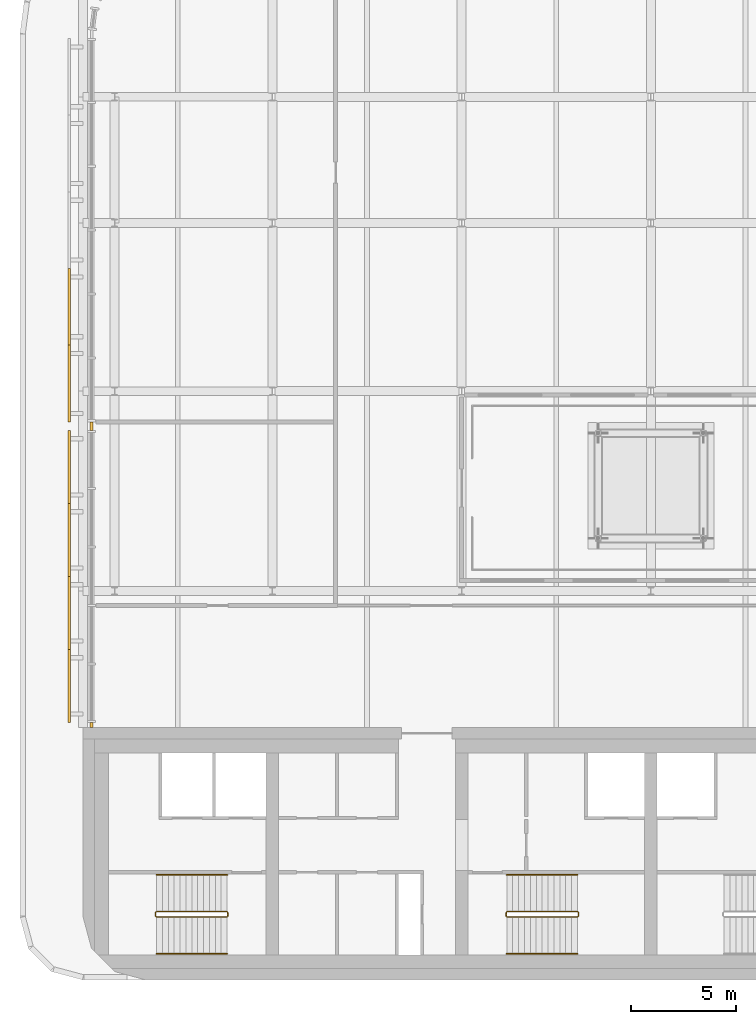
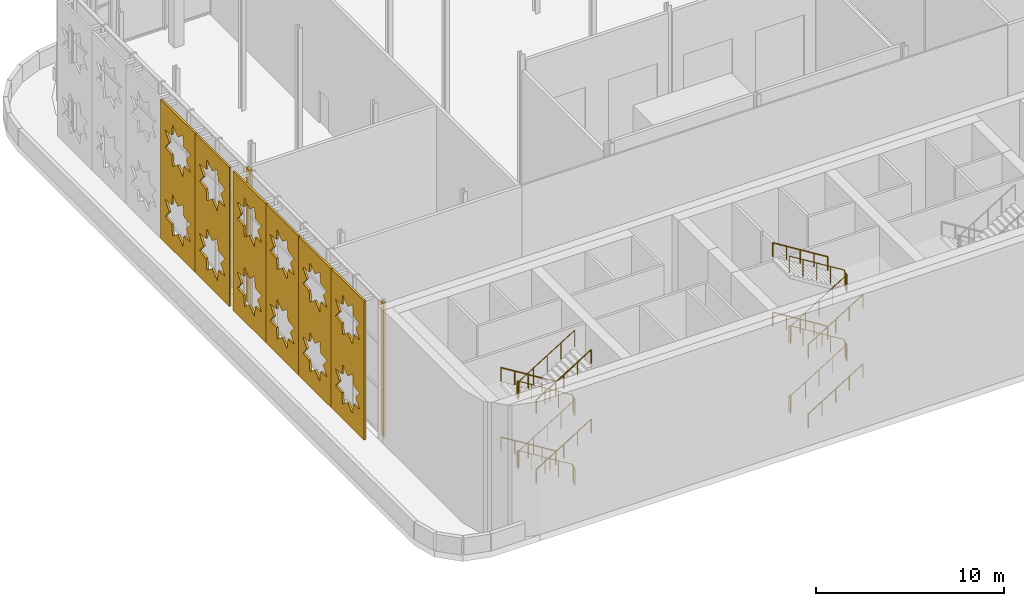
# One storey, part 22 of 26: 10 railings, 8 coverings.
"""IFC4 building model written with IfcOpenShell, lengths in metres."""

from ifc_helpers import new_model, si_unit, direction, frame, origin, origin_2d, place, context, subcontext, project, spatial, polyline, rectangle, circle, outline, extrude, material, layer, layer_set, type_object, element, save


model = new_model("IFC4")

# Units and contexts
model_context = context("Model", 3, precision=1e-05, world=origin(), true_north=direction((0.0, 1.0)))
body_context = subcontext(model_context, "Body", "Model", "MODEL_VIEW")
ifc_project = project(units=[si_unit("LENGTHUNIT", "METRE"), si_unit("AREAUNIT", "SQUARE_METRE"), si_unit("VOLUMEUNIT", "CUBIC_METRE"), si_unit("PLANEANGLEUNIT", "RADIAN"), si_unit("MASSUNIT", "GRAM", prefix="KILO")], contexts=[model_context])

# Site, building, storey
site_placement = place(None, origin())
site = spatial("IfcSite", under=ifc_project, at=site_placement, CompositionType="ELEMENT")
building_placement = place(site_placement, origin())
building = spatial("IfcBuilding", under=site, at=building_placement, Name="Zellij Exchange Tower", CompositionType="ELEMENT")
storey_placement = place(building_placement, frame((0.0, 0.0, 296.5)))
storey = spatial("IfcBuildingStorey", under=building, at=storey_placement, Name="L70", CompositionType="ELEMENT", Elevation=296.5)

# Railings
ifc_material_1 = material(Name="Stainless steel", Category="steel")
railing_type_1 = type_object("IfcRailingType", Name="CORE-RG stair guard", PredefinedType="GUARDRAIL", material=ifc_material_1)
railing_1_placement = place(storey_placement, frame((-20.10009765625, -10.800048828125, 0.0)))
element("IfcRailing", 1, at=railing_1_placement, inside=storey, type_object=railing_type_1, Name="ST1 stair guard L70", PredefinedType="GUARDRAIL", context=body_context, shape_type="SweptSolid", body=[
    extrude(circle(Radius=0.02392578125, at=origin_2d()), frame((0.0, 0.0, 1.076171875), z_axis=(0.0, -1.0, 0.0), x_axis=(1.0, 0.0, 0.0)), (0.0, 0.0, 1.0), 0.14990234375),
    extrude(circle(Radius=0.02392578125, at=origin_2d()), frame((0.0, -0.14990234375, 1.076171875), z_axis=(-0.185068141132, 0.742994154839, 0.643202510111), x_axis=(-0.970351222016, -0.241699205484, 0.0)), (0.0, 0.0, 1.0), 0.26904296875),
    extrude(circle(Radius=0.02392578125, at=origin_2d()), frame((-0.0498046875, 0.050048828125, 1.2490234375), z_axis=(-0.850623216509, 0.0, 0.525775754039), x_axis=(0.0, -1.0, 0.0)), (0.0, 0.0, 1.0), 3.9501953125),
    extrude(circle(Radius=0.02392578125, at=origin_2d()), frame((-3.409912109375, 0.050048828125, 3.326171875), z_axis=(-0.707106781187, -0.707106781187, 0.0), x_axis=(0.707106781187, -0.707106781187, 0.0)), (0.0, 0.0, 1.0), 0.07080078125),
    extrude(circle(Radius=0.02392578125, at=origin_2d()), frame((-3.4599609375, 0.0, 3.326171875), z_axis=(0.0, -1.0, 0.0), x_axis=(1.0, 0.0, 0.0)), (0.0, 0.0, 1.0), 0.14990234375),
    extrude(circle(Radius=0.02392578125, at=origin_2d()), frame((-3.4599609375, -0.14990234375, 3.326171875), z_axis=(0.267629722418, -0.267629722418, 0.925607186314), x_axis=(0.707106781187, 0.707106781187, 0.0)), (0.0, 0.0, 1.0), 0.18701171875),
    extrude(circle(Radius=0.02392578125, at=origin_2d()), frame((-3.409912109375, -0.199951171875, 3.4990234375), z_axis=(0.850623216509, 0.0, 0.525775754039), x_axis=(0.0, 1.0, 0.0)), (0.0, 0.0, 1.0), 3.9501953125),
    extrude(circle(Radius=0.02392578125, at=origin_2d()), frame((-0.0498046875, -0.199951171875, 5.576171875), z_axis=(0.241699205484, 0.970351222016, 0.0), x_axis=(-0.970351222016, 0.241699205484, 0.0)), (0.0, 0.0, 1.0), 0.2060546875),
    extrude(circle(Radius=0.02392578125, at=origin_2d()), frame((0.0, 0.0, 5.576171875), z_axis=(0.0, -1.0, 0.0), x_axis=(1.0, 0.0, 0.0)), (0.0, 0.0, 1.0), 0.14990234375),
    extrude(circle(Radius=0.02392578125, at=origin_2d()), frame((0.0, -0.14990234375, 5.576171875), z_axis=(-0.185068141132, 0.742994154839, 0.643202510111), x_axis=(-0.970351222016, -0.241699205484, 0.0)), (0.0, 0.0, 1.0), 0.26904296875),
    extrude(circle(Radius=0.02392578125, at=origin_2d()), frame((-0.0498046875, 0.050048828125, 5.7490234375), z_axis=(-0.850623216509, 0.0, 0.525775754039), x_axis=(0.0, -1.0, 0.0)), (0.0, 0.0, 1.0), 3.9501953125),
    extrude(circle(Radius=0.02392578125, at=origin_2d()), frame((-3.409912109375, 0.050048828125, 7.826171875), z_axis=(-0.707106781187, -0.707106781187, 0.0), x_axis=(0.707106781187, -0.707106781187, 0.0)), (0.0, 0.0, 1.0), 0.07080078125),
    extrude(circle(Radius=0.02392578125, at=origin_2d()), frame((-3.4599609375, 0.0, 7.826171875), z_axis=(0.0, -1.0, 0.0), x_axis=(1.0, 0.0, 0.0)), (0.0, 0.0, 1.0), 0.14990234375),
    extrude(circle(Radius=0.02392578125, at=origin_2d()), frame((-3.4599609375, -0.14990234375, 7.826171875), z_axis=(0.267629722418, -0.267629722418, 0.925607186314), x_axis=(0.707106781187, 0.707106781187, 0.0)), (0.0, 0.0, 1.0), 0.18701171875),
    extrude(circle(Radius=0.02392578125, at=origin_2d()), frame((-3.409912109375, -0.199951171875, 7.9990234375), z_axis=(0.850623216509, 0.0, 0.525775754039), x_axis=(0.0, 1.0, 0.0)), (0.0, 0.0, 1.0), 3.9501953125),
    extrude(circle(Radius=0.02099609375, at=origin_2d()), origin(), (0.0, 0.0, 1.0), 1.052001953125),
    extrude(circle(Radius=0.02099609375, at=origin_2d()), frame((0.0, -0.14990234375, 0.0)), (0.0, 0.0, 1.0), 1.052001953125),
    extrude(circle(Radius=0.02099609375, at=origin_2d()), frame((-0.0498046875, 0.050048828125, 0.173095703125)), (0.0, 0.0, 1.0), 1.052001953125),
    extrude(circle(Radius=0.02099609375, at=origin_2d()), frame((-0.889892578125, 0.050048828125, 0.6923828125)), (0.0, 0.0, 1.0), 1.052001953125),
    extrude(circle(Radius=0.02099609375, at=origin_2d()), frame((-1.72998046875, 0.050048828125, 1.21142578125)), (0.0, 0.0, 1.0), 1.052001953125),
    extrude(circle(Radius=0.02099609375, at=origin_2d()), frame((-2.56982421875, 0.050048828125, 1.730712890625)), (0.0, 0.0, 1.0), 1.052001953125),
    extrude(circle(Radius=0.02099609375, at=origin_2d()), frame((-3.409912109375, 0.050048828125, 2.25)), (0.0, 0.0, 1.0), 1.052001953125),
    extrude(circle(Radius=0.02099609375, at=origin_2d()), frame((-3.4599609375, 0.0, 2.25)), (0.0, 0.0, 1.0), 1.052001953125),
    extrude(circle(Radius=0.02099609375, at=origin_2d()), frame((-3.4599609375, -0.14990234375, 2.25)), (0.0, 0.0, 1.0), 1.052001953125),
    extrude(circle(Radius=0.02099609375, at=origin_2d()), frame((-3.409912109375, -0.199951171875, 2.423095703125)), (0.0, 0.0, 1.0), 1.052001953125),
    extrude(circle(Radius=0.02099609375, at=origin_2d()), frame((-2.56982421875, -0.199951171875, 2.9423828125)), (0.0, 0.0, 1.0), 1.052001953125),
    extrude(circle(Radius=0.02099609375, at=origin_2d()), frame((-1.72998046875, -0.199951171875, 3.46142578125)), (0.0, 0.0, 1.0), 1.052001953125),
    extrude(circle(Radius=0.02099609375, at=origin_2d()), frame((-0.889892578125, -0.199951171875, 3.980712890625)), (0.0, 0.0, 1.0), 1.052001953125),
    extrude(circle(Radius=0.02099609375, at=origin_2d()), frame((-0.0498046875, -0.199951171875, 4.5)), (0.0, 0.0, 1.0), 1.052001953125),
    extrude(circle(Radius=0.02099609375, at=origin_2d()), frame((0.0, 0.0, 4.5)), (0.0, 0.0, 1.0), 1.052001953125),
    extrude(circle(Radius=0.02099609375, at=origin_2d()), frame((0.0, -0.14990234375, 4.5)), (0.0, 0.0, 1.0), 1.052001953125),
    extrude(circle(Radius=0.02099609375, at=origin_2d()), frame((-0.0498046875, 0.050048828125, 4.673095703125)), (0.0, 0.0, 1.0), 1.052001953125),
    extrude(circle(Radius=0.02099609375, at=origin_2d()), frame((-0.889892578125, 0.050048828125, 5.1923828125)), (0.0, 0.0, 1.0), 1.052001953125),
    extrude(circle(Radius=0.02099609375, at=origin_2d()), frame((-1.72998046875, 0.050048828125, 5.71142578125)), (0.0, 0.0, 1.0), 1.052001953125),
    extrude(circle(Radius=0.02099609375, at=origin_2d()), frame((-2.56982421875, 0.050048828125, 6.230712890625)), (0.0, 0.0, 1.0), 1.052001953125),
    extrude(circle(Radius=0.02099609375, at=origin_2d()), frame((-3.409912109375, 0.050048828125, 6.75)), (0.0, 0.0, 1.0), 1.052001953125),
    extrude(circle(Radius=0.02099609375, at=origin_2d()), frame((-3.4599609375, 0.0, 6.75)), (0.0, 0.0, 1.0), 1.052001953125),
    extrude(circle(Radius=0.02099609375, at=origin_2d()), frame((-3.4599609375, -0.14990234375, 6.75)), (0.0, 0.0, 1.0), 1.052001953125),
    extrude(circle(Radius=0.02099609375, at=origin_2d()), frame((-3.409912109375, -0.199951171875, 6.923095703125)), (0.0, 0.0, 1.0), 1.052001953125),
    extrude(circle(Radius=0.02099609375, at=origin_2d()), frame((-2.56982421875, -0.199951171875, 7.4423828125)), (0.0, 0.0, 1.0), 1.052001953125),
    extrude(circle(Radius=0.02099609375, at=origin_2d()), frame((-1.72998046875, -0.199951171875, 7.96142578125)), (0.0, 0.0, 1.0), 1.052001953125),
    extrude(circle(Radius=0.02099609375, at=origin_2d()), frame((-0.889892578125, -0.199951171875, 8.480712890625)), (0.0, 0.0, 1.0), 1.052001953125),
    extrude(circle(Radius=0.02099609375, at=origin_2d()), frame((-0.0498046875, -0.199951171875, 9.0)), (0.0, 0.0, 1.0), 1.052001953125),
])
railing_2_placement = place(storey_placement, frame((-6.89990234375, -10.949951171875, 0.0)))
element("IfcRailing", 2, at=railing_2_placement, inside=storey, type_object=railing_type_1, Name="ST2 stair guard L70", PredefinedType="GUARDRAIL", context=body_context, shape_type="SweptSolid", body=[
    extrude(circle(Radius=0.02392578125, at=origin_2d()), frame((0.0, 0.0, 1.076171875), z_axis=(0.0, 1.0, 0.0), x_axis=(-1.0, 0.0, 0.0)), (0.0, 0.0, 1.0), 0.14990234375),
    extrude(circle(Radius=0.02392578125, at=origin_2d()), frame((0.0, 0.14990234375, 1.076171875), z_axis=(0.185068141132, -0.742994154839, 0.643202510111), x_axis=(0.970351222016, 0.241699205484, 0.0)), (0.0, 0.0, 1.0), 0.26904296875),
    extrude(circle(Radius=0.02392578125, at=origin_2d()), frame((0.0498046875, -0.050048828125, 1.2490234375), z_axis=(0.850623216509, 0.0, 0.525775754039), x_axis=(0.0, 1.0, 0.0)), (0.0, 0.0, 1.0), 3.9501953125),
    extrude(circle(Radius=0.02392578125, at=origin_2d()), frame((3.409912109375, -0.050048828125, 3.326171875), z_axis=(0.707106781187, 0.707106781187, 0.0), x_axis=(-0.707106781187, 0.707106781187, 0.0)), (0.0, 0.0, 1.0), 0.07080078125),
    extrude(circle(Radius=0.02392578125, at=origin_2d()), frame((3.4599609375, 0.0, 3.326171875), z_axis=(0.0, 1.0, 0.0), x_axis=(-1.0, 0.0, 0.0)), (0.0, 0.0, 1.0), 0.14990234375),
    extrude(circle(Radius=0.02392578125, at=origin_2d()), frame((3.4599609375, 0.14990234375, 3.326171875), z_axis=(-0.267629722418, 0.267629722418, 0.925607186314), x_axis=(-0.707106781187, -0.707106781187, 0.0)), (0.0, 0.0, 1.0), 0.18701171875),
    extrude(circle(Radius=0.02392578125, at=origin_2d()), frame((3.409912109375, 0.199951171875, 3.4990234375), z_axis=(-0.850623216509, 0.0, 0.525775754039), x_axis=(0.0, -1.0, 0.0)), (0.0, 0.0, 1.0), 3.9501953125),
    extrude(circle(Radius=0.02392578125, at=origin_2d()), frame((0.0498046875, 0.199951171875, 5.576171875), z_axis=(-0.241699205484, -0.970351222016, 0.0), x_axis=(0.970351222016, -0.241699205484, 0.0)), (0.0, 0.0, 1.0), 0.2060546875),
    extrude(circle(Radius=0.02392578125, at=origin_2d()), frame((0.0, 0.0, 5.576171875), z_axis=(0.0, 1.0, 0.0), x_axis=(-1.0, 0.0, 0.0)), (0.0, 0.0, 1.0), 0.14990234375),
    extrude(circle(Radius=0.02392578125, at=origin_2d()), frame((0.0, 0.14990234375, 5.576171875), z_axis=(0.185068141132, -0.742994154839, 0.643202510111), x_axis=(0.970351222016, 0.241699205484, 0.0)), (0.0, 0.0, 1.0), 0.26904296875),
    extrude(circle(Radius=0.02392578125, at=origin_2d()), frame((0.0498046875, -0.050048828125, 5.7490234375), z_axis=(0.850623216509, 0.0, 0.525775754039), x_axis=(0.0, 1.0, 0.0)), (0.0, 0.0, 1.0), 3.9501953125),
    extrude(circle(Radius=0.02392578125, at=origin_2d()), frame((3.409912109375, -0.050048828125, 7.826171875), z_axis=(0.707106781187, 0.707106781187, 0.0), x_axis=(-0.707106781187, 0.707106781187, 0.0)), (0.0, 0.0, 1.0), 0.07080078125),
    extrude(circle(Radius=0.02392578125, at=origin_2d()), frame((3.4599609375, 0.0, 7.826171875), z_axis=(0.0, 1.0, 0.0), x_axis=(-1.0, 0.0, 0.0)), (0.0, 0.0, 1.0), 0.14990234375),
    extrude(circle(Radius=0.02392578125, at=origin_2d()), frame((3.4599609375, 0.14990234375, 7.826171875), z_axis=(-0.267629722418, 0.267629722418, 0.925607186314), x_axis=(-0.707106781187, -0.707106781187, 0.0)), (0.0, 0.0, 1.0), 0.18701171875),
    extrude(circle(Radius=0.02392578125, at=origin_2d()), frame((3.409912109375, 0.199951171875, 7.9990234375), z_axis=(-0.850623216509, 0.0, 0.525775754039), x_axis=(0.0, -1.0, 0.0)), (0.0, 0.0, 1.0), 3.9501953125),
    extrude(circle(Radius=0.02099609375, at=origin_2d()), origin(), (0.0, 0.0, 1.0), 1.052001953125),
    extrude(circle(Radius=0.02099609375, at=origin_2d()), frame((0.0, 0.14990234375, 0.0)), (0.0, 0.0, 1.0), 1.052001953125),
    extrude(circle(Radius=0.02099609375, at=origin_2d()), frame((0.0498046875, -0.050048828125, 0.173095703125)), (0.0, 0.0, 1.0), 1.052001953125),
    extrude(circle(Radius=0.02099609375, at=origin_2d()), frame((0.889892578125, -0.050048828125, 0.6923828125)), (0.0, 0.0, 1.0), 1.052001953125),
    extrude(circle(Radius=0.02099609375, at=origin_2d()), frame((1.72998046875, -0.050048828125, 1.21142578125)), (0.0, 0.0, 1.0), 1.052001953125),
    extrude(circle(Radius=0.02099609375, at=origin_2d()), frame((2.56982421875, -0.050048828125, 1.730712890625)), (0.0, 0.0, 1.0), 1.052001953125),
    extrude(circle(Radius=0.02099609375, at=origin_2d()), frame((3.409912109375, -0.050048828125, 2.25)), (0.0, 0.0, 1.0), 1.052001953125),
    extrude(circle(Radius=0.02099609375, at=origin_2d()), frame((3.4599609375, 0.0, 2.25)), (0.0, 0.0, 1.0), 1.052001953125),
    extrude(circle(Radius=0.02099609375, at=origin_2d()), frame((3.4599609375, 0.14990234375, 2.25)), (0.0, 0.0, 1.0), 1.052001953125),
    extrude(circle(Radius=0.02099609375, at=origin_2d()), frame((3.409912109375, 0.199951171875, 2.423095703125)), (0.0, 0.0, 1.0), 1.052001953125),
    extrude(circle(Radius=0.02099609375, at=origin_2d()), frame((2.56982421875, 0.199951171875, 2.9423828125)), (0.0, 0.0, 1.0), 1.052001953125),
    extrude(circle(Radius=0.02099609375, at=origin_2d()), frame((1.72998046875, 0.199951171875, 3.46142578125)), (0.0, 0.0, 1.0), 1.052001953125),
    extrude(circle(Radius=0.02099609375, at=origin_2d()), frame((0.889892578125, 0.199951171875, 3.980712890625)), (0.0, 0.0, 1.0), 1.052001953125),
    extrude(circle(Radius=0.02099609375, at=origin_2d()), frame((0.0498046875, 0.199951171875, 4.5)), (0.0, 0.0, 1.0), 1.052001953125),
    extrude(circle(Radius=0.02099609375, at=origin_2d()), frame((0.0, 0.0, 4.5)), (0.0, 0.0, 1.0), 1.052001953125),
    extrude(circle(Radius=0.02099609375, at=origin_2d()), frame((0.0, 0.14990234375, 4.5)), (0.0, 0.0, 1.0), 1.052001953125),
    extrude(circle(Radius=0.02099609375, at=origin_2d()), frame((0.0498046875, -0.050048828125, 4.673095703125)), (0.0, 0.0, 1.0), 1.052001953125),
    extrude(circle(Radius=0.02099609375, at=origin_2d()), frame((0.889892578125, -0.050048828125, 5.1923828125)), (0.0, 0.0, 1.0), 1.052001953125),
    extrude(circle(Radius=0.02099609375, at=origin_2d()), frame((1.72998046875, -0.050048828125, 5.71142578125)), (0.0, 0.0, 1.0), 1.052001953125),
    extrude(circle(Radius=0.02099609375, at=origin_2d()), frame((2.56982421875, -0.050048828125, 6.230712890625)), (0.0, 0.0, 1.0), 1.052001953125),
    extrude(circle(Radius=0.02099609375, at=origin_2d()), frame((3.409912109375, -0.050048828125, 6.75)), (0.0, 0.0, 1.0), 1.052001953125),
    extrude(circle(Radius=0.02099609375, at=origin_2d()), frame((3.4599609375, 0.0, 6.75)), (0.0, 0.0, 1.0), 1.052001953125),
    extrude(circle(Radius=0.02099609375, at=origin_2d()), frame((3.4599609375, 0.14990234375, 6.75)), (0.0, 0.0, 1.0), 1.052001953125),
    extrude(circle(Radius=0.02099609375, at=origin_2d()), frame((3.409912109375, 0.199951171875, 6.923095703125)), (0.0, 0.0, 1.0), 1.052001953125),
    extrude(circle(Radius=0.02099609375, at=origin_2d()), frame((2.56982421875, 0.199951171875, 7.4423828125)), (0.0, 0.0, 1.0), 1.052001953125),
    extrude(circle(Radius=0.02099609375, at=origin_2d()), frame((1.72998046875, 0.199951171875, 7.96142578125)), (0.0, 0.0, 1.0), 1.052001953125),
    extrude(circle(Radius=0.02099609375, at=origin_2d()), frame((0.889892578125, 0.199951171875, 8.480712890625)), (0.0, 0.0, 1.0), 1.052001953125),
    extrude(circle(Radius=0.02099609375, at=origin_2d()), frame((0.0498046875, 0.199951171875, 9.0)), (0.0, 0.0, 1.0), 1.052001953125),
])
railing_type_2 = type_object("IfcRailingType", Name="CORE-RH stair handrail", PredefinedType="HANDRAIL", material=ifc_material_1)
railing_3_placement = place(storey_placement, frame((-20.14990234375, -9.0, 0.173095703125)))
element("IfcRailing", 3, at=railing_3_placement, inside=storey, type_object=railing_type_2, Name="ST1 stair handrail L70", PredefinedType="HANDRAIL", context=body_context, shape_type="SweptSolid", body=[
    extrude(circle(Radius=0.02392578125, at=origin_2d()), frame((0.0, 0.0, 0.8759765625), z_axis=(-0.850623216509, 0.0, 0.525775754039), x_axis=(0.0, -1.0, 0.0)), (0.0, 0.0, 1.0), 3.9501953125),
    extrude(circle(Radius=0.02099609375, at=origin_2d()), origin(), (0.0, 0.0, 1.0), 0.851806640625),
    extrude(circle(Radius=0.02099609375, at=origin_2d()), frame((-0.840087890625, 0.0, 0.519287109375)), (0.0, 0.0, 1.0), 0.851806640625),
    extrude(circle(Radius=0.02099609375, at=origin_2d()), frame((-1.68017578125, 0.0, 1.03857421875)), (0.0, 0.0, 1.0), 0.851806640625),
    extrude(circle(Radius=0.02099609375, at=origin_2d()), frame((-2.52001953125, 0.0, 1.5576171875)), (0.0, 0.0, 1.0), 0.851806640625),
    extrude(circle(Radius=0.02099609375, at=origin_2d()), frame((-3.360107421875, 0.0, 2.076904296875)), (0.0, 0.0, 1.0), 0.851806640625),
])
railing_4_placement = place(storey_placement, frame((-23.510009765625, -12.75, 2.423095703125)))
element("IfcRailing", 4, at=railing_4_placement, inside=storey, type_object=railing_type_2, Name="ST1 stair handrail L70", PredefinedType="HANDRAIL", context=body_context, shape_type="SweptSolid", body=[
    extrude(circle(Radius=0.02392578125, at=origin_2d()), frame((0.0, 0.0, 0.8759765625), z_axis=(0.850623216509, 0.0, 0.525775754039), x_axis=(0.0, 1.0, 0.0)), (0.0, 0.0, 1.0), 3.9501953125),
    extrude(circle(Radius=0.02099609375, at=origin_2d()), origin(), (0.0, 0.0, 1.0), 0.851806640625),
    extrude(circle(Radius=0.02099609375, at=origin_2d()), frame((0.840087890625, 0.0, 0.519287109375)), (0.0, 0.0, 1.0), 0.851806640625),
    extrude(circle(Radius=0.02099609375, at=origin_2d()), frame((1.68017578125, 0.0, 1.03857421875)), (0.0, 0.0, 1.0), 0.851806640625),
    extrude(circle(Radius=0.02099609375, at=origin_2d()), frame((2.52001953125, 0.0, 1.5576171875)), (0.0, 0.0, 1.0), 0.851806640625),
    extrude(circle(Radius=0.02099609375, at=origin_2d()), frame((3.360107421875, 0.0, 2.076904296875)), (0.0, 0.0, 1.0), 0.851806640625),
])
railing_5_placement = place(storey_placement, frame((-20.14990234375, -9.0, 4.673095703125)))
element("IfcRailing", 5, at=railing_5_placement, inside=storey, type_object=railing_type_2, Name="ST1 stair handrail L70", PredefinedType="HANDRAIL", context=body_context, shape_type="SweptSolid", body=[
    extrude(circle(Radius=0.02392578125, at=origin_2d()), frame((0.0, 0.0, 0.8759765625), z_axis=(-0.850623216509, 0.0, 0.525775754039), x_axis=(0.0, -1.0, 0.0)), (0.0, 0.0, 1.0), 3.9501953125),
    extrude(circle(Radius=0.02099609375, at=origin_2d()), origin(), (0.0, 0.0, 1.0), 0.851806640625),
    extrude(circle(Radius=0.02099609375, at=origin_2d()), frame((-0.840087890625, 0.0, 0.519287109375)), (0.0, 0.0, 1.0), 0.851806640625),
    extrude(circle(Radius=0.02099609375, at=origin_2d()), frame((-1.68017578125, 0.0, 1.03857421875)), (0.0, 0.0, 1.0), 0.851806640625),
    extrude(circle(Radius=0.02099609375, at=origin_2d()), frame((-2.52001953125, 0.0, 1.5576171875)), (0.0, 0.0, 1.0), 0.851806640625),
    extrude(circle(Radius=0.02099609375, at=origin_2d()), frame((-3.360107421875, 0.0, 2.076904296875)), (0.0, 0.0, 1.0), 0.851806640625),
])
for number, where, name in (
    (6, (-23.510009765625, -12.75, 6.923095703125), "ST1 stair handrail L70"),
    (7, (-6.85009765625, -12.75, 0.173095703125), "ST2 stair handrail L70"),
):
    element("IfcRailing", number, at=place(storey_placement, frame(where)), inside=storey, type_object=railing_type_2, Name=name, PredefinedType="HANDRAIL", context=body_context, shape_type="SweptSolid", body=[
        extrude(circle(Radius=0.02392578125, at=origin_2d()), frame((0.0, 0.0, 0.8759765625), z_axis=(0.850623216509, 0.0, 0.525775754039), x_axis=(0.0, 1.0, 0.0)), (0.0, 0.0, 1.0), 3.9501953125),
        extrude(circle(Radius=0.02099609375, at=origin_2d()), origin(), (0.0, 0.0, 1.0), 0.851806640625),
        extrude(circle(Radius=0.02099609375, at=origin_2d()), frame((0.840087890625, 0.0, 0.519287109375)), (0.0, 0.0, 1.0), 0.851806640625),
        extrude(circle(Radius=0.02099609375, at=origin_2d()), frame((1.68017578125, 0.0, 1.03857421875)), (0.0, 0.0, 1.0), 0.851806640625),
        extrude(circle(Radius=0.02099609375, at=origin_2d()), frame((2.52001953125, 0.0, 1.5576171875)), (0.0, 0.0, 1.0), 0.851806640625),
        extrude(circle(Radius=0.02099609375, at=origin_2d()), frame((3.360107421875, 0.0, 2.076904296875)), (0.0, 0.0, 1.0), 0.851806640625),
    ])
railing_6_placement = place(storey_placement, frame((-3.489990234375, -9.0, 2.423095703125)))
element("IfcRailing", 8, at=railing_6_placement, inside=storey, type_object=railing_type_2, Name="ST2 stair handrail L70", PredefinedType="HANDRAIL", context=body_context, shape_type="SweptSolid", body=[
    extrude(circle(Radius=0.02392578125, at=origin_2d()), frame((0.0, 0.0, 0.8759765625), z_axis=(-0.850623216509, 0.0, 0.525775754039), x_axis=(0.0, -1.0, 0.0)), (0.0, 0.0, 1.0), 3.9501953125),
    extrude(circle(Radius=0.02099609375, at=origin_2d()), origin(), (0.0, 0.0, 1.0), 0.851806640625),
    extrude(circle(Radius=0.02099609375, at=origin_2d()), frame((-0.840087890625, 0.0, 0.519287109375)), (0.0, 0.0, 1.0), 0.851806640625),
    extrude(circle(Radius=0.02099609375, at=origin_2d()), frame((-1.68017578125, 0.0, 1.03857421875)), (0.0, 0.0, 1.0), 0.851806640625),
    extrude(circle(Radius=0.02099609375, at=origin_2d()), frame((-2.52001953125, 0.0, 1.5576171875)), (0.0, 0.0, 1.0), 0.851806640625),
    extrude(circle(Radius=0.02099609375, at=origin_2d()), frame((-3.360107421875, 0.0, 2.076904296875)), (0.0, 0.0, 1.0), 0.851806640625),
])
railing_7_placement = place(storey_placement, frame((-6.85009765625, -12.75, 4.673095703125)))
element("IfcRailing", 9, at=railing_7_placement, inside=storey, type_object=railing_type_2, Name="ST2 stair handrail L70", PredefinedType="HANDRAIL", context=body_context, shape_type="SweptSolid", body=[
    extrude(circle(Radius=0.02392578125, at=origin_2d()), frame((0.0, 0.0, 0.8759765625), z_axis=(0.850623216509, 0.0, 0.525775754039), x_axis=(0.0, 1.0, 0.0)), (0.0, 0.0, 1.0), 3.9501953125),
    extrude(circle(Radius=0.02099609375, at=origin_2d()), origin(), (0.0, 0.0, 1.0), 0.851806640625),
    extrude(circle(Radius=0.02099609375, at=origin_2d()), frame((0.840087890625, 0.0, 0.519287109375)), (0.0, 0.0, 1.0), 0.851806640625),
    extrude(circle(Radius=0.02099609375, at=origin_2d()), frame((1.68017578125, 0.0, 1.03857421875)), (0.0, 0.0, 1.0), 0.851806640625),
    extrude(circle(Radius=0.02099609375, at=origin_2d()), frame((2.52001953125, 0.0, 1.5576171875)), (0.0, 0.0, 1.0), 0.851806640625),
    extrude(circle(Radius=0.02099609375, at=origin_2d()), frame((3.360107421875, 0.0, 2.076904296875)), (0.0, 0.0, 1.0), 0.851806640625),
])
railing_8_placement = place(storey_placement, frame((-3.489990234375, -9.0, 6.923095703125)))
element("IfcRailing", 10, at=railing_8_placement, inside=storey, type_object=railing_type_2, Name="ST2 stair handrail L70", PredefinedType="HANDRAIL", context=body_context, shape_type="SweptSolid", body=[
    extrude(circle(Radius=0.02392578125, at=origin_2d()), frame((0.0, 0.0, 0.8759765625), z_axis=(-0.850623216509, 0.0, 0.525775754039), x_axis=(0.0, -1.0, 0.0)), (0.0, 0.0, 1.0), 3.9501953125),
    extrude(circle(Radius=0.02099609375, at=origin_2d()), origin(), (0.0, 0.0, 1.0), 0.851806640625),
    extrude(circle(Radius=0.02099609375, at=origin_2d()), frame((-0.840087890625, 0.0, 0.519287109375)), (0.0, 0.0, 1.0), 0.851806640625),
    extrude(circle(Radius=0.02099609375, at=origin_2d()), frame((-1.68017578125, 0.0, 1.03857421875)), (0.0, 0.0, 1.0), 0.851806640625),
    extrude(circle(Radius=0.02099609375, at=origin_2d()), frame((-2.52001953125, 0.0, 1.5576171875)), (0.0, 0.0, 1.0), 0.851806640625),
    extrude(circle(Radius=0.02099609375, at=origin_2d()), frame((-3.360107421875, 0.0, 2.076904296875)), (0.0, 0.0, 1.0), 0.851806640625),
])

# Coverings
ifc_material_2 = material(Name="Limestone cladding", Category="masonry")
ifc_layer_1 = layer(ifc_material_2, 0.1201171875)
ifc_layer_set_1 = layer_set([ifc_layer_1], Name="Limestone cladding")
covering_type_1 = type_object("IfcCoveringType", Name="ENV-CV18 Glazing closer 120", PredefinedType="CLADDING", material=ifc_layer_set_1)
covering_1_placement = place(storey_placement, frame((-26.60009765625, 12.34228515625, 0.0), z_axis=(0.0, 0.0, 1.0), x_axis=(0.0, -1.0, 0.0)))
element("IfcCovering", 11, at=covering_1_placement, inside=storey, type_object=covering_type_1, Name="Glazing closer", PredefinedType="CLADDING", context=body_context, shape_type="SweptSolid", body=[
    extrude(rectangle(XDim=0.39990234375, YDim=0.1201171875, at=origin_2d()), origin(), (0.0, 0.0, 1.0), 8.64990234375),
])
covering_2_placement = place(storey_placement, frame((-26.60009765625, -1.875, 0.0), z_axis=(0.0, 0.0, 1.0), x_axis=(0.0, -1.0, 0.0)))
element("IfcCovering", 12, at=covering_2_placement, inside=storey, type_object=covering_type_1, Name="Glazing closer", PredefinedType="CLADDING", context=body_context, shape_type="SweptSolid", body=[
    extrude(rectangle(XDim=0.25, YDim=0.1201171875, at=origin_2d()), origin(), (0.0, 0.0, 1.0), 8.64990234375),
])
ifc_material_3 = material(Name="Limestone screen", Category="masonry")
ifc_layer_2 = layer(ifc_material_3, 0.1201171875)
ifc_layer_set_2 = layer_set([ifc_layer_2], Name="Limestone screen")
covering_type_2 = type_object("IfcCoveringType", Name="ENV-SC1 Pierced stone screen 120", PredefinedType="USERDEFINED", material=ifc_layer_set_2)
for number, where, z_axis, x_axis, name in (
    (13, (-27.659912109375, 19.834716796875, 0.0), (0.0, 0.0, 1.0), (0.0, -1.0, 0.0), "Pierced stone screen"),
    (14, (-27.659912109375, 16.1884765625, 0.0), (0.0, 0.0, 1.0), (0.0, -1.0, 0.0), "Pierced stone screen"),
):
    element("IfcCovering", number, at=place(storey_placement, frame(where, z_axis=z_axis, x_axis=x_axis)), inside=storey, type_object=covering_type_2, Name=name, ObjectType="SCREEN", PredefinedType="USERDEFINED", context=body_context, shape_type="SweptSolid", body=[
        extrude(outline(polyline([(0.0, 0.0), (3.646240234375, 0.0), (3.646240234375, 9.0), (0.0, 9.0), (0.0, 0.0)]), holes=[polyline([(3.170654296875, 2.80810546875), (2.462646484375, 2.889404296875), (2.38134765625, 3.597412109375), (1.8232421875, 3.154296875), (1.264892578125, 3.597412109375), (1.18359375, 2.889404296875), (0.4755859375, 2.80810546875), (0.9189453125, 2.25), (0.4755859375, 1.69189453125), (1.18359375, 1.610595703125), (1.264892578125, 0.902587890625), (1.8232421875, 1.345703125), (2.38134765625, 0.902587890625), (2.462646484375, 1.610595703125), (3.170654296875, 1.69189453125), (2.727294921875, 2.25), (3.170654296875, 2.80810546875)]), polyline([(3.170654296875, 7.30810546875), (2.462646484375, 7.389404296875), (2.38134765625, 8.097412109375), (1.8232421875, 7.654296875), (1.264892578125, 8.097412109375), (1.18359375, 7.389404296875), (0.4755859375, 7.30810546875), (0.9189453125, 6.75), (0.4755859375, 6.19189453125), (1.18359375, 6.110595703125), (1.264892578125, 5.402587890625), (1.8232421875, 5.845703125), (2.38134765625, 5.402587890625), (2.462646484375, 6.110595703125), (3.170654296875, 6.19189453125), (2.727294921875, 6.75), (3.170654296875, 7.30810546875)])]), frame((0.0, 0.06005859375, 0.0), z_axis=(0.0, -1.0, 0.0), x_axis=(1.0, 0.0, 0.0)), (0.0, 0.0, 1.0), 0.1201171875),
    ])
covering_3_placement = place(storey_placement, frame((-27.659912109375, 12.14208984375, 0.0), z_axis=(0.0, 0.0, 1.0), x_axis=(0.0, -1.0, 0.0)))
element("IfcCovering", 15, at=covering_3_placement, inside=storey, type_object=covering_type_2, Name="Pierced stone screen", ObjectType="SCREEN", PredefinedType="USERDEFINED", context=body_context, shape_type="SweptSolid", body=[
    extrude(outline(polyline([(0.0, 0.0), (3.47314453125, 0.0), (3.47314453125, 9.0), (0.0, 9.0), (0.0, 0.0)]), holes=[polyline([(3.02001953125, 2.781494140625), (2.345703125, 2.85888671875), (2.268310546875, 3.533447265625), (1.736572265625, 3.111328125), (1.204833984375, 3.533447265625), (1.12744140625, 2.85888671875), (0.453125, 2.781494140625), (0.875244140625, 2.25), (0.453125, 1.718505859375), (1.12744140625, 1.64111328125), (1.204833984375, 0.966552734375), (1.736572265625, 1.388671875), (2.268310546875, 0.966552734375), (2.345703125, 1.64111328125), (3.02001953125, 1.718505859375), (2.597900390625, 2.25), (3.02001953125, 2.781494140625)]), polyline([(3.02001953125, 7.281494140625), (2.345703125, 7.35888671875), (2.268310546875, 8.033447265625), (1.736572265625, 7.611328125), (1.204833984375, 8.033447265625), (1.12744140625, 7.35888671875), (0.453125, 7.281494140625), (0.875244140625, 6.75), (0.453125, 6.218505859375), (1.12744140625, 6.14111328125), (1.204833984375, 5.466552734375), (1.736572265625, 5.888671875), (2.268310546875, 5.466552734375), (2.345703125, 6.14111328125), (3.02001953125, 6.218505859375), (2.597900390625, 6.75), (3.02001953125, 7.281494140625)])]), frame((0.0, 0.06005859375, 0.0), z_axis=(0.0, -1.0, 0.0), x_axis=(1.0, 0.0, 0.0)), (0.0, 0.0, 1.0), 0.1201171875),
])
for number, where, z_axis, x_axis, name in (
    (16, (-27.659912109375, 8.669189453125, 0.0), (0.0, 0.0, 1.0), (0.0, -1.0, 0.0), "Pierced stone screen"),
    (17, (-27.659912109375, 5.196044921875, 0.0), (0.0, 0.0, 1.0), (0.0, -1.0, 0.0), "Pierced stone screen"),
):
    element("IfcCovering", number, at=place(storey_placement, frame(where, z_axis=z_axis, x_axis=x_axis)), inside=storey, type_object=covering_type_2, Name=name, ObjectType="SCREEN", PredefinedType="USERDEFINED", context=body_context, shape_type="SweptSolid", body=[
        extrude(outline(polyline([(0.0, 0.0), (3.472900390625, 0.0), (3.472900390625, 9.0), (0.0, 9.0), (0.0, 0.0)]), holes=[polyline([(3.02001953125, 2.781494140625), (2.345703125, 2.85888671875), (2.268310546875, 3.533447265625), (1.736572265625, 3.111328125), (1.204833984375, 3.533447265625), (1.12744140625, 2.85888671875), (0.453125, 2.781494140625), (0.875244140625, 2.25), (0.453125, 1.718505859375), (1.12744140625, 1.64111328125), (1.204833984375, 0.966552734375), (1.736572265625, 1.388671875), (2.268310546875, 0.966552734375), (2.345703125, 1.64111328125), (3.02001953125, 1.718505859375), (2.597900390625, 2.25), (3.02001953125, 2.781494140625)]), polyline([(3.02001953125, 7.281494140625), (2.345703125, 7.35888671875), (2.268310546875, 8.033447265625), (1.736572265625, 7.611328125), (1.204833984375, 8.033447265625), (1.12744140625, 7.35888671875), (0.453125, 7.281494140625), (0.875244140625, 6.75), (0.453125, 6.218505859375), (1.12744140625, 6.14111328125), (1.204833984375, 5.466552734375), (1.736572265625, 5.888671875), (2.268310546875, 5.466552734375), (2.345703125, 6.14111328125), (3.02001953125, 6.218505859375), (2.597900390625, 6.75), (3.02001953125, 7.281494140625)])]), frame((0.0, 0.06005859375, 0.0), z_axis=(0.0, -1.0, 0.0), x_axis=(1.0, 0.0, 0.0)), (0.0, 0.0, 1.0), 0.1201171875),
    ])
covering_4_placement = place(storey_placement, frame((-27.659912109375, 1.722900390625, 0.0), z_axis=(0.0, 0.0, 1.0), x_axis=(0.0, -1.0, 0.0)))
element("IfcCovering", 18, at=covering_4_placement, inside=storey, type_object=covering_type_2, Name="Pierced stone screen", ObjectType="SCREEN", PredefinedType="USERDEFINED", context=body_context, shape_type="SweptSolid", body=[
    extrude(outline(polyline([(0.0, 0.0), (3.47314453125, 0.0), (3.47314453125, 9.0), (0.0, 9.0), (0.0, 0.0)]), holes=[polyline([(3.02001953125, 2.781494140625), (2.345703125, 2.85888671875), (2.268310546875, 3.533447265625), (1.736572265625, 3.111328125), (1.204833984375, 3.533447265625), (1.12744140625, 2.85888671875), (0.453125, 2.781494140625), (0.875244140625, 2.25), (0.453125, 1.718505859375), (1.12744140625, 1.64111328125), (1.204833984375, 0.966552734375), (1.736572265625, 1.388671875), (2.268310546875, 0.966552734375), (2.345703125, 1.64111328125), (3.02001953125, 1.718505859375), (2.597900390625, 2.25), (3.02001953125, 2.781494140625)]), polyline([(3.02001953125, 7.281494140625), (2.345703125, 7.35888671875), (2.268310546875, 8.033447265625), (1.736572265625, 7.611328125), (1.204833984375, 8.033447265625), (1.12744140625, 7.35888671875), (0.453125, 7.281494140625), (0.875244140625, 6.75), (0.453125, 6.218505859375), (1.12744140625, 6.14111328125), (1.204833984375, 5.466552734375), (1.736572265625, 5.888671875), (2.268310546875, 5.466552734375), (2.345703125, 6.14111328125), (3.02001953125, 6.218505859375), (2.597900390625, 6.75), (3.02001953125, 7.281494140625)])]), frame((0.0, 0.06005859375, 0.0), z_axis=(0.0, -1.0, 0.0), x_axis=(1.0, 0.0, 0.0)), (0.0, 0.0, 1.0), 0.1201171875),
])

save(model, "model.ifc")
